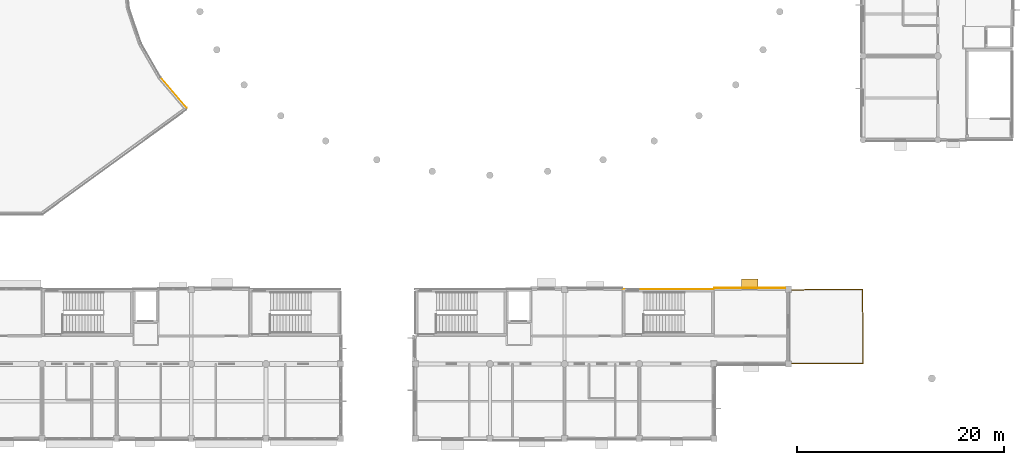
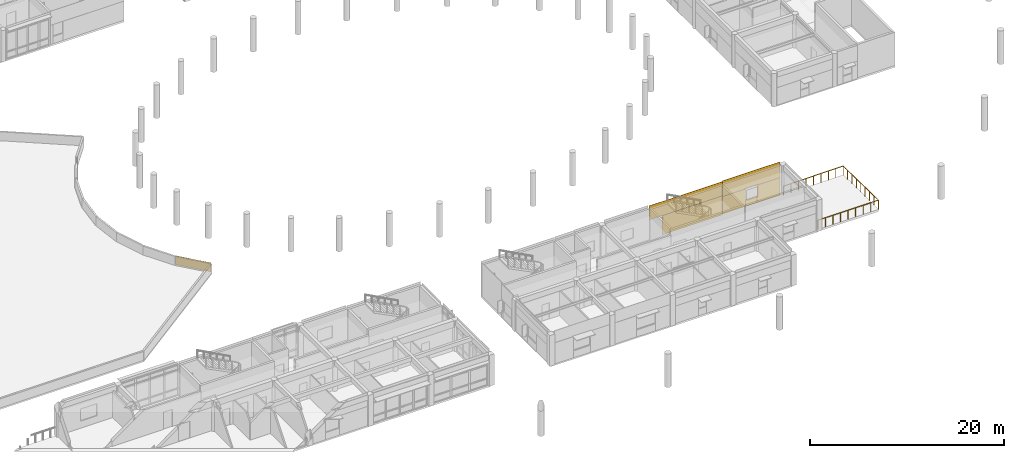
# One storey, part 45 of 55: 7 coverings, 1 railing, 1 shading device.
"""IFC4 building model written with IfcOpenShell, lengths in metres."""

import ifcopenshell
import ifcopenshell.guid

model = None  # the IFC model being written
_history = None  # IfcOwnerHistory: only IFC2X3 demands one
_inside = {}  # id of a spatial element -> (the spatial element, [elements in it])
_under = {}  # id of a project, library or spatial element -> (it, [spatial elements below it])
_declared = {}  # id of a project -> (the project, [libraries it declares])
_typed = {}  # id of a type object -> (the type object, [elements of that type])
_made_of = {}  # id of a material, layer set ... -> (it, [elements and type objects made of it])


def new_model(schema):
    """Start an empty IFC model of exactly this schema.

    Asked for "IFC4X3", IfcOpenShell would pick the latest addendum, in which some entities
    have other attributes; the version numbers below select the first issue.
    IFC2X3 requires an IfcOwnerHistory on every rooted entity: one is made here for all.
    """
    global model, _history
    if schema == "IFC4X3":
        model = ifcopenshell.file(schema_version=(4, 3, 0, 0))
    else:
        model = ifcopenshell.file(schema=schema)
    _inside.clear()
    _under.clear()
    _declared.clear()
    _typed.clear()
    _made_of.clear()
    _history = None
    if model.schema == "IFC2X3":
        org = make("IfcOrganization", Name="unknown")
        user = make(
            "IfcPersonAndOrganization",
            ThePerson=make("IfcPerson", FamilyName="unknown"),
            TheOrganization=org,
        )
        app = make(
            "IfcApplication",
            ApplicationDeveloper=org,
            Version="unknown",
            ApplicationFullName="unknown",
            ApplicationIdentifier="unknown",
        )
        _history = make(
            "IfcOwnerHistory",
            OwningUser=user,
            OwningApplication=app,
            ChangeAction="ADDED",
            CreationDate=0,
        )
    return model


def make(cls, **values):
    """One entity of the class cls with the attributes given. An attribute that is None is left unset."""
    return model.create_entity(
        cls, **{name: value for name, value in values.items() if value is not None}
    )


def rooted(cls, **values):
    """An entity with a GlobalId (a new one), such as an element, a storey or a relation."""
    return make(cls, GlobalId=ifcopenshell.guid.new(), OwnerHistory=_history, **values)


def si_unit(unit_type, name, prefix=None):
    """IfcSIUnit, for example si_unit("LENGTHUNIT", "METRE", prefix="MILLI")."""
    return make("IfcSIUnit", UnitType=unit_type, Prefix=prefix, Name=name)


def assignment(units):
    """IfcUnitAssignment: the units of a project."""
    return None if units is None else make("IfcUnitAssignment", Units=units)


def point(xyz):
    """IfcCartesianPoint."""
    return None if xyz is None else make("IfcCartesianPoint", Coordinates=xyz)


def direction(xyz):
    """IfcDirection."""
    return None if xyz is None else make("IfcDirection", DirectionRatios=xyz)


def frame(location, z_axis=None, x_axis=None):
    """IfcAxis2Placement3D, a coordinate frame: its origin and axes. An axis left out is left unset."""
    return make(
        "IfcAxis2Placement3D",
        Location=point(location),
        Axis=direction(z_axis),
        RefDirection=direction(x_axis),
    )


def frame_2d(location, x_axis=None):
    """IfcAxis2Placement2D, a coordinate frame in the plane: its origin and x axis."""
    return make(
        "IfcAxis2Placement2D", Location=point(location), RefDirection=direction(x_axis)
    )


def origin():
    """The frame at (0, 0, 0) with its axes left unset."""
    return frame((0.0, 0.0, 0.0))


def origin_2d():
    """The frame at (0, 0) in the plane with its x axis left unset."""
    return frame_2d((0.0, 0.0))


def place(relative_to, where):
    """IfcLocalPlacement: puts the frame where relative to a parent placement (None: the world)."""
    return make(
        "IfcLocalPlacement", PlacementRelTo=relative_to, RelativePlacement=where
    )


def context(
    kind, dimensions, precision=None, world=None, true_north=None, identifier=None
):
    """IfcGeometricRepresentationContext, for example the 3D "Model" context."""
    return make(
        "IfcGeometricRepresentationContext",
        ContextIdentifier=identifier,
        ContextType=kind,
        CoordinateSpaceDimension=dimensions,
        Precision=precision,
        WorldCoordinateSystem=world,
        TrueNorth=true_north,
    )


def subcontext(parent, identifier, kind, view, scale=None):
    """IfcGeometricRepresentationSubContext, for example "Body" below "Model"."""
    return make(
        "IfcGeometricRepresentationSubContext",
        ContextIdentifier=identifier,
        ContextType=kind,
        ParentContext=parent,
        TargetScale=scale,
        TargetView=view,
    )


def project(units=None, contexts=None):
    """IfcProject with its units and contexts."""
    return rooted(
        "IfcProject",
        Name="project",
        RepresentationContexts=contexts,
        UnitsInContext=assignment(units),
    )


def spatial(cls, under=None, at=None, **own):
    """A site, building, storey or space (cls), placed at a placement, below another one or the project."""
    s = rooted(cls, ObjectPlacement=at, **own)
    if under is not None:
        _under.setdefault(under.id(), (under, []))[1].append(s)
    return s


def profile(cls, at=None, kind="AREA", **sizes):
    """A parametric profile (cls). Its sizes go by their IFC names, for example OverallWidth=200.0."""
    return make(cls, ProfileType=kind, Position=at, **sizes)


def rectangle(**sizes):
    """IfcRectangleProfileDef."""
    return profile("IfcRectangleProfileDef", **sizes)


def circle(**sizes):
    """IfcCircleProfileDef."""
    return profile("IfcCircleProfileDef", **sizes)


def extrude(swept, where, along, depth):
    """IfcExtrudedAreaSolid: the profile swept, set in the frame where, extruded along a direction by depth."""
    return make(
        "IfcExtrudedAreaSolid",
        SweptArea=swept,
        Position=where,
        ExtrudedDirection=direction(along),
        Depth=depth,
    )


def shape(context_of_items, identifier, shape_type, items):
    """IfcShapeRepresentation: the items that make up one representation, for example the "Body"."""
    return make(
        "IfcShapeRepresentation",
        ContextOfItems=context_of_items,
        RepresentationIdentifier=identifier,
        RepresentationType=shape_type,
        Items=items,
    )


def material(Name=None, Category=None):
    """IfcMaterial."""
    return make("IfcMaterial", Name=Name, Category=Category)


def layer(
    of_material, thickness, ventilated=None, Name=None, Category=None, Priority=None
):
    """IfcMaterialLayer: one layer of a wall or slab, of a material (None: an air gap)."""
    return make(
        "IfcMaterialLayer",
        Material=of_material,
        LayerThickness=thickness,
        IsVentilated=ventilated,
        Name=Name,
        Category=Category,
        Priority=Priority,
    )


def layer_set(layers, Name=None):
    """IfcMaterialLayerSet."""
    return make("IfcMaterialLayerSet", MaterialLayers=layers, LayerSetName=Name)


def made_of(thing, what):
    """Note that an element or type object is made of a material, layer set ...; save() writes the relation."""
    if what is not None:
        _made_of.setdefault(what.id(), (what, []))[1].append(thing)
    return thing


def type_object(cls, material=None, **own):
    """A type object (cls), such as IfcWallType, which elements share."""
    return made_of(rooted(cls, **own), material)


def element(
    cls,
    number,
    at=None,
    inside=None,
    cuts=None,
    type_object=None,
    material=None,
    context=None,
    identifier="Body",
    shape_type=None,
    held_by="IfcProductDefinitionShape",
    body=None,
    shapes=None,
    **own,
):
    """One element of the class cls, such as IfcWall. Its Tag is "e" and its number.

    at: its placement. inside: the storey or other place that contains it. cuts: it is an
    opening in that element (IfcRelVoidsElement). A single representation is given by context,
    identifier, shape_type and body (its items); several are given by shapes. held_by: the class
    of the entity that holds the representations. save() writes the other relations.
    """
    e = rooted(cls, Tag="e%d" % number, ObjectPlacement=at, **own)
    if body is not None:
        shapes = [shape(context, identifier, shape_type, body)]
    if shapes is not None:
        e.Representation = make(held_by, Representations=shapes)
    if inside is not None:
        _inside.setdefault(inside.id(), (inside, []))[1].append(e)
    if cuts is not None:
        rooted(
            "IfcRelVoidsElement", RelatingBuildingElement=cuts, RelatedOpeningElement=e
        )
    if type_object is not None:
        _typed.setdefault(type_object.id(), (type_object, []))[1].append(e)
    return made_of(e, material)


def aggregate(whole, parts):
    """IfcRelAggregates: a whole, such as a stair, and the parts it consists of."""
    return rooted("IfcRelAggregates", RelatingObject=whole, RelatedObjects=parts)


def save(model, path):
    """Write the relations noted so far, then the file.

    IfcRelAggregates (storeys below a building ...), IfcRelContainedInSpatialStructure (elements
    in a storey), IfcRelDefinesByType, IfcRelAssociatesMaterial and IfcRelDeclares: one each for
    every whole, place, type object, material and project.
    """
    for whole, parts in _under.values():
        aggregate(whole, parts)
    for where, things in _inside.values():
        rooted(
            "IfcRelContainedInSpatialStructure",
            RelatedElements=things,
            RelatingStructure=where,
        )
    for kind, things in _typed.values():
        rooted("IfcRelDefinesByType", RelatedObjects=things, RelatingType=kind)
    for what, things in _made_of.values():
        rooted("IfcRelAssociatesMaterial", RelatedObjects=things, RelatingMaterial=what)
    for by, libraries in _declared.values():
        rooted("IfcRelDeclares", RelatingContext=by, RelatedDefinitions=libraries)
    model.write(path)


model = new_model("IFC4")

# Units and contexts
model_context = context("Model", 3, precision=1e-05, world=origin(), true_north=direction((0.0, 1.0)))
body_context = subcontext(model_context, "Body", "Model", "MODEL_VIEW")
ifc_project = project(units=[si_unit("LENGTHUNIT", "METRE"), si_unit("AREAUNIT", "SQUARE_METRE"), si_unit("VOLUMEUNIT", "CUBIC_METRE"), si_unit("PLANEANGLEUNIT", "RADIAN"), si_unit("MASSUNIT", "GRAM", prefix="KILO")], contexts=[model_context])

# Site, building, storey
site_placement = place(None, origin())
site = spatial("IfcSite", under=ifc_project, at=site_placement, CompositionType="ELEMENT")
building_placement = place(site_placement, origin())
building = spatial("IfcBuilding", under=site, at=building_placement, Name="Namkhue Oval Health Centre", CompositionType="ELEMENT")
storey_placement = place(building_placement, frame((0.0, 0.0, 9.60009765625)))
storey = spatial("IfcBuildingStorey", under=building, at=storey_placement, Name="L02", CompositionType="ELEMENT", Elevation=9.60009765625)

# Railing
ifc_material_1 = material(Name="Brushed stainless steel 316L balustrade with laminated glass infill", Category="steel")
railing_type = type_object("IfcRailingType", Name="EXTERIOR BALUSTRADE GUARD 1150", PredefinedType="BALUSTRADE", material=ifc_material_1)
railing_placement = place(storey_placement, frame((129.60009765625, 21.659912109375, 0.0)))
element("IfcRailing", 1, at=railing_placement, inside=storey, type_object=railing_type, Name="Volume V5 L02 Terrace Balustrade Guard 1", PredefinedType="BALUSTRADE", context=body_context, shape_type="SweptSolid", body=[
    extrude(circle(Radius=0.02392578125, at=origin_2d()), frame((0.0, 0.0, 1.1259765625), z_axis=(1.0, 0.0, 0.0), x_axis=(0.0, 1.0, 0.0)), (0.0, 0.0, 1.0), 7.199951171875),
    extrude(circle(Radius=0.02392578125, at=origin_2d()), frame((7.199951171875, 0.0, 1.1259765625), z_axis=(-0.008411109143, 0.999964625996, 0.0), x_axis=(-0.999964625996, -0.008411109143, 0.0)), (0.0, 0.0, 1.0), 7.140380859375),
    extrude(circle(Radius=0.02392578125, at=origin_2d()), frame((7.139892578125, 7.14013671875, 1.1259765625), z_axis=(-0.999964623577, -0.008411396731, 0.0), x_axis=(0.008411396731, -0.999964623577, 0.0)), (0.0, 0.0, 1.0), 7.14013671875),
    extrude(circle(Radius=0.02099609375, at=origin_2d()), origin(), (0.0, 0.0, 1.0), 1.101806640625),
    extrude(circle(Radius=0.02099609375, at=origin_2d()), frame((0.89990234375, 0.0, 0.0)), (0.0, 0.0, 1.0), 1.101806640625),
    extrude(circle(Radius=0.02099609375, at=origin_2d()), frame((1.800048828125, 0.0, 0.0)), (0.0, 0.0, 1.0), 1.101806640625),
    extrude(circle(Radius=0.02099609375, at=origin_2d()), frame((2.699951171875, 0.0, 0.0)), (0.0, 0.0, 1.0), 1.101806640625),
    extrude(circle(Radius=0.02099609375, at=origin_2d()), frame((3.60009765625, 0.0, 0.0)), (0.0, 0.0, 1.0), 1.101806640625),
    extrude(circle(Radius=0.02099609375, at=origin_2d()), frame((4.5, 0.0, 0.0)), (0.0, 0.0, 1.0), 1.101806640625),
    extrude(circle(Radius=0.02099609375, at=origin_2d()), frame((5.39990234375, 0.0, 0.0)), (0.0, 0.0, 1.0), 1.101806640625),
    extrude(circle(Radius=0.02099609375, at=origin_2d()), frame((6.300048828125, 0.0, 0.0)), (0.0, 0.0, 1.0), 1.101806640625),
    extrude(circle(Radius=0.02099609375, at=origin_2d()), frame((7.199951171875, 0.0, 0.0)), (0.0, 0.0, 1.0), 1.101806640625),
    extrude(circle(Radius=0.02099609375, at=origin_2d()), frame((7.1923828125, 0.892578125, 0.0)), (0.0, 0.0, 1.0), 1.101806640625),
    extrude(circle(Radius=0.02099609375, at=origin_2d()), frame((7.18505859375, 1.78515625, 0.0)), (0.0, 0.0, 1.0), 1.101806640625),
    extrude(circle(Radius=0.02099609375, at=origin_2d()), frame((7.177490234375, 2.677490234375, 0.0)), (0.0, 0.0, 1.0), 1.101806640625),
    extrude(circle(Radius=0.02099609375, at=origin_2d()), frame((7.169921875, 3.570068359375, 0.0)), (0.0, 0.0, 1.0), 1.101806640625),
    extrude(circle(Radius=0.02099609375, at=origin_2d()), frame((7.162353515625, 4.462646484375, 0.0)), (0.0, 0.0, 1.0), 1.101806640625),
    extrude(circle(Radius=0.02099609375, at=origin_2d()), frame((7.15478515625, 5.35498046875, 0.0)), (0.0, 0.0, 1.0), 1.101806640625),
    extrude(circle(Radius=0.02099609375, at=origin_2d()), frame((7.1474609375, 6.24755859375, 0.0)), (0.0, 0.0, 1.0), 1.101806640625),
    extrude(circle(Radius=0.02099609375, at=origin_2d()), frame((7.139892578125, 7.14013671875, 0.0)), (0.0, 0.0, 1.0), 1.101806640625),
    extrude(circle(Radius=0.02099609375, at=origin_2d()), frame((6.247314453125, 7.132568359375, 0.0)), (0.0, 0.0, 1.0), 1.101806640625),
    extrude(circle(Radius=0.02099609375, at=origin_2d()), frame((5.35498046875, 7.125, 0.0)), (0.0, 0.0, 1.0), 1.101806640625),
    extrude(circle(Radius=0.02099609375, at=origin_2d()), frame((4.46240234375, 7.11767578125, 0.0)), (0.0, 0.0, 1.0), 1.101806640625),
    extrude(circle(Radius=0.02099609375, at=origin_2d()), frame((3.56982421875, 7.110107421875, 0.0)), (0.0, 0.0, 1.0), 1.101806640625),
    extrude(circle(Radius=0.02099609375, at=origin_2d()), frame((2.677490234375, 7.1025390625, 0.0)), (0.0, 0.0, 1.0), 1.101806640625),
    extrude(circle(Radius=0.02099609375, at=origin_2d()), frame((1.784912109375, 7.09521484375, 0.0)), (0.0, 0.0, 1.0), 1.101806640625),
    extrude(circle(Radius=0.02099609375, at=origin_2d()), frame((0.892578125, 7.087646484375, 0.0)), (0.0, 0.0, 1.0), 1.101806640625),
    extrude(circle(Radius=0.02099609375, at=origin_2d()), frame((0.0, 7.080078125, 0.0)), (0.0, 0.0, 1.0), 1.101806640625),
])

# Shading device
ifc_material_2 = material(Name="Anodised aluminium EN AW-6063 T6", Category="aluminium")
ifc_layer_1 = layer(ifc_material_2, 0.06005859375)
ifc_layer_set_1 = layer_set([ifc_layer_1], Name="Anodised aluminium EN AW-6063 T6")
shading_device_type = type_object("IfcShadingDeviceType", Name="MONSOON SUN LOUVRE 900", PredefinedType="JALOUSIE", material=ifc_layer_set_1)
shading_device_placement = place(storey_placement, frame((125.85302734375, 29.35498046875, 2.219970703125), z_axis=(0.0, 0.0, 1.0), x_axis=(-1.0, 0.0, 0.0)))
element("IfcShadingDevice", 2, at=shading_device_placement, inside=storey, type_object=shading_device_type, Name="Volume V5 L02 Window Monsoon Louvre 272", PredefinedType="JALOUSIE", context=body_context, shape_type="SweptSolid", body=[
    extrude(rectangle(XDim=1.590087890625, YDim=0.89990234375, at=origin_2d()), origin(), (0.0, 0.0, 1.0), 0.06005859375),
])

# Coverings
ifc_material_3 = material(Name="White glass-fibre reinforced concrete GRC rainscreen cladding", Category="concrete")
ifc_layer_2 = layer(ifc_material_3, 0.02490234375)
ifc_layer_set_2 = layer_set([ifc_layer_2], Name="White glass-fibre reinforced concrete GRC rainscreen cladding")
covering_type = type_object("IfcCoveringType", Name="WHITE GRC RAINSCREEN CLADDING 25", PredefinedType="CLADDING", material=ifc_layer_set_2)
covering_1_placement = place(storey_placement, frame((70.297607421875, 47.7705078125, 0.010009765625), z_axis=(0.0, 0.0, 1.0), x_axis=(0.648784221735, -0.760972426325, 0.0)))
element("IfcCovering", 3, at=covering_1_placement, inside=storey, type_object=covering_type, Name="Volume V1 L02 Parapet 11 White GRC Cladding 1", PredefinedType="CLADDING", context=body_context, shape_type="SweptSolid", body=[
    extrude(rectangle(XDim=3.859375, YDim=0.02490234375, at=origin_2d()), origin(), (0.0, 0.0, 1.0), 1.1298828125),
])
covering_2_placement = place(storey_placement, frame((125.85302734375, 28.927001953125, 2.21484375), z_axis=(0.0, 0.0, 1.0), x_axis=(-1.0, 0.0, 0.0)))
element("IfcCovering", 4, at=covering_2_placement, inside=storey, type_object=covering_type, Name="Volume V5 L02 Facade 134 White GRC Cladding 1", PredefinedType="CLADDING", context=body_context, shape_type="SweptSolid", body=[
    extrude(rectangle(XDim=6.862060546875, YDim=0.02490234375, at=origin_2d()), origin(), (0.0, 0.0, 1.0), 1.97509765625),
])
covering_3_placement = place(storey_placement, frame((127.91357421875, 28.927001953125, 0.009765625), z_axis=(0.0, 0.0, 1.0), x_axis=(-1.0, 0.0, 0.0)))
element("IfcCovering", 5, at=covering_3_placement, inside=storey, type_object=covering_type, Name="Volume V5 L02 Facade 134 White GRC Cladding 2", PredefinedType="CLADDING", context=body_context, shape_type="SweptSolid", body=[
    extrude(rectangle(XDim=2.740966796875, YDim=0.02490234375, at=origin_2d()), origin(), (0.0, 0.0, 1.0), 2.199951171875),
])
covering_4_placement = place(storey_placement, frame((125.85302734375, 28.927001953125, 0.010009765625), z_axis=(0.0, 0.0, 1.0), x_axis=(-1.0, 0.0, 0.0)))
element("IfcCovering", 6, at=covering_4_placement, inside=storey, type_object=covering_type, Name="Volume V5 L02 Facade 134 White GRC Cladding 3", PredefinedType="CLADDING", context=body_context, shape_type="SweptSolid", body=[
    extrude(rectangle(XDim=1.3701171875, YDim=0.02490234375, at=origin_2d()), origin(), (0.0, 0.0, 1.0), 0.875),
])
covering_5_placement = place(storey_placement, frame((123.79248046875, 28.927001953125, 0.009765625), z_axis=(0.0, 0.0, 1.0), x_axis=(-1.0, 0.0, 0.0)))
element("IfcCovering", 7, at=covering_5_placement, inside=storey, type_object=covering_type, Name="Volume V5 L02 Facade 134 White GRC Cladding 4", PredefinedType="CLADDING", context=body_context, shape_type="SweptSolid", body=[
    extrude(rectangle(XDim=2.740966796875, YDim=0.02490234375, at=origin_2d()), origin(), (0.0, 0.0, 1.0), 2.199951171875),
])
covering_6_placement = place(storey_placement, frame((118.0, 28.81201171875, 2.4150390625), z_axis=(0.0, 0.0, 1.0), x_axis=(-1.0, 0.0, 0.0)))
element("IfcCovering", 8, at=covering_6_placement, inside=storey, type_object=covering_type, Name="Core SC-10 L02 Core N White GRC Cladding 1", PredefinedType="CLADDING", context=body_context, shape_type="SweptSolid", body=[
    extrude(rectangle(XDim=8.760009765625, YDim=0.02490234375, at=origin_2d()), origin(), (0.0, 0.0, 1.0), 1.77490234375),
])
covering_7_placement = place(storey_placement, frame((118.762451171875, 28.81201171875, 0.010009765625), z_axis=(0.0, 0.0, 1.0), x_axis=(-1.0, 0.0, 0.0)))
element("IfcCovering", 9, at=covering_7_placement, inside=storey, type_object=covering_type, Name="Core SC-10 L02 Core N White GRC Cladding 2", PredefinedType="CLADDING", context=body_context, shape_type="SweptSolid", body=[
    extrude(rectangle(XDim=7.235107421875, YDim=0.02490234375, at=origin_2d()), origin(), (0.0, 0.0, 1.0), 2.39990234375),
])

save(model, "model.ifc")
